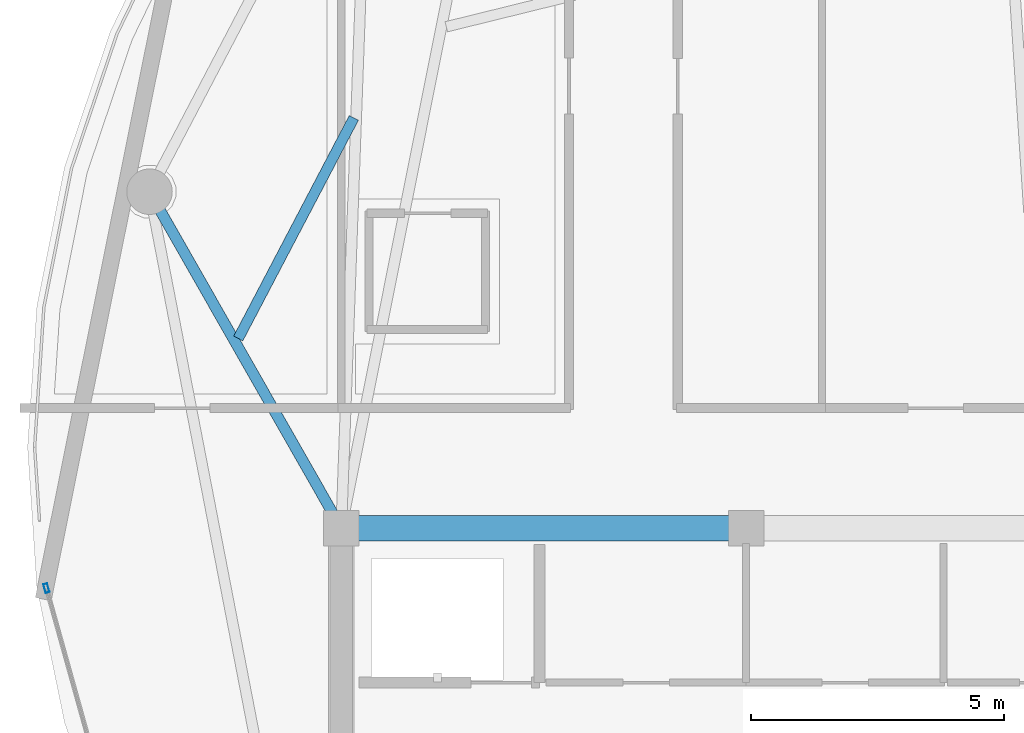
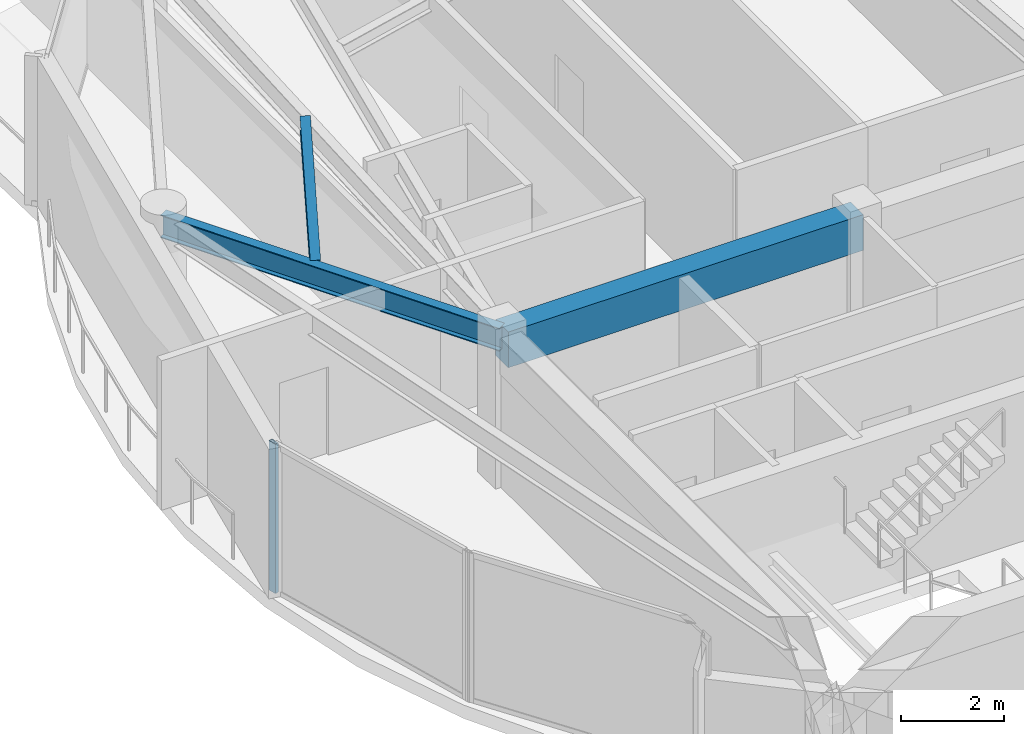
# One storey, part 9 of 29: 3 beams, 1 member, 1 element without a shape of its own.
"""IFC4 building model written with IfcOpenShell, lengths in metres."""

from ifc_helpers import new_model, si_unit, direction, frame, origin, origin_2d, place, context, subcontext, project, spatial, rectangle, hollow_rectangle, i_section, extrude, material, layer, layer_set, material_profile, profile_set, type_object, element, aggregate, save


model = new_model("IFC4")

# Units and contexts
model_context = context("Model", 3, precision=1e-05, world=origin(), true_north=direction((0.0, 1.0)))
body_context = subcontext(model_context, "Body", "Model", "MODEL_VIEW")
ifc_project = project(units=[si_unit("LENGTHUNIT", "METRE"), si_unit("AREAUNIT", "SQUARE_METRE"), si_unit("VOLUMEUNIT", "CUBIC_METRE"), si_unit("PLANEANGLEUNIT", "RADIAN"), si_unit("MASSUNIT", "GRAM", prefix="KILO")], contexts=[model_context])

# Site, building, storey
site_placement = place(None, origin())
site = spatial("IfcSite", under=ifc_project, at=site_placement, CompositionType="ELEMENT")
building_placement = place(site_placement, origin())
building = spatial("IfcBuilding", under=site, at=building_placement, Name="Kazevale Care Tower and Concert Hall", CompositionType="ELEMENT")
storey_placement = place(building_placement, frame((0.0, 0.0, 281.39990234375)))
storey = spatial("IfcBuildingStorey", under=building, at=storey_placement, Name="L74", CompositionType="ELEMENT", Elevation=281.39990234375)

# Curtain wall, member
ifc_material_1 = material(Name="Aluminium 6063-T6 and Low-E Glass", Category="aluminium")
ifc_layer = layer(ifc_material_1, 0.179931640625)
ifc_layer_set = layer_set([ifc_layer], Name="Aluminium 6063-T6 and Low-E Glass")
curtain_wall_type = type_object("IfcCurtainWallType", Name="Waist & Upper Residential Curtain Wall CW-4", PredefinedType="NOTDEFINED", material=ifc_layer_set)
curtain_wall_placement = place(storey_placement, origin())
curtain_wall = element("IfcCurtainWall", 1, at=curtain_wall_placement, inside=storey, type_object=curtain_wall_type, Name="cw:L74:f12", PredefinedType="NOTDEFINED")
ifc_material_2 = material(Name="Aluminium 6063-T6", Category="aluminium")
ifc_material_profile_1 = material_profile(ifc_material_2, hollow_rectangle(XDim=0.080078125, YDim=0.179931640625, WallThickness=0.0048828125, at=origin_2d()), Name="ALU80x180x5")
ifc_profile_set_1 = profile_set([ifc_material_profile_1], Name="Aluminium 6063-T6")
member_type = type_object("IfcMemberType", Name="CW-4 Mullion ALU80x180x5", PredefinedType="MULLION", material=ifc_profile_set_1)
member_placement = place(storey_placement, frame((16.1728515625, 35.215576171875, 0.0), z_axis=(0.0, 0.0, 1.0), x_axis=(-0.963194056491, -0.268807011704, 0.0)))
member = element("IfcMember", 2, at=member_placement, type_object=member_type, Name="CW-4 mullion 2", PredefinedType="MULLION", context=body_context, shape_type="SweptSolid", body=[
    extrude(hollow_rectangle(XDim=0.080078125, YDim=0.179931640625, WallThickness=0.0048828125, at=origin_2d()), origin(), (0.0, 0.0, 1.0), 3.56005859375),
])
aggregate(curtain_wall, [member])

# Beams
ifc_material_3 = material(Name="Concrete C60", Category="concrete")
ifc_material_profile_2 = material_profile(ifc_material_3, rectangle(XDim=0.5, YDim=0.85009765625, at=origin_2d()), Name="RC-B500x850")
ifc_profile_set_2 = profile_set([ifc_material_profile_2], Name="Concrete C60")
beam_type_1 = type_object("IfcBeamType", Name="Core Coupling Beam RC500x850", PredefinedType="LINTEL", material=ifc_profile_set_2)
beam_1_placement = place(storey_placement, frame((30.0, 36.39990234375, 3.135009765625), z_axis=(-1.0, 0.0, 0.0), x_axis=(0.0, -1.0, 0.0)))
element("IfcBeam", 3, at=beam_1_placement, inside=storey, type_object=beam_type_1, Name="beam:L74:coretie:7", PredefinedType="LINTEL", context=body_context, shape_type="SweptSolid", body=[
    extrude(rectangle(XDim=0.5, YDim=0.85009765625, at=origin_2d()), origin(), (0.0, 0.0, 1.0), 8.0),
])
ifc_material_4 = material(Name="Steel ASTM A572 Gr 50", Category="steel")
ifc_material_profile_3 = material_profile(ifc_material_4, i_section(OverallWidth=0.2119140625, OverallDepth=0.5439453125, WebThickness=0.01318359375, FlangeThickness=0.021240234375, at=origin_2d()), Name="W530x123")
ifc_profile_set_3 = profile_set([ifc_material_profile_3], Name="Steel ASTM A572 Gr 50")
beam_type_2 = type_object("IfcBeamType", Name="Radial Floor Girder W530x123", PredefinedType="BEAM", material=ifc_profile_set_3)
beam_2_placement = place(storey_placement, frame((22.0, 36.39990234375, 3.2880859375), z_axis=(-0.495149357892, 0.868807869082, 0.0), x_axis=(-0.868807869082, -0.495149357892, 0.0)))
element("IfcBeam", 4, at=beam_2_placement, inside=storey, type_object=beam_type_2, Name="beam:L74:rad:09", PredefinedType="BEAM", context=body_context, shape_type="SweptSolid", body=[
    extrude(i_section(OverallWidth=0.2119140625, OverallDepth=0.5439453125, WebThickness=0.01318359375, FlangeThickness=0.021240234375, at=origin_2d()), origin(), (0.0, 0.0, 1.0), 7.654296875),
])
ifc_material_profile_4 = material_profile(ifc_material_4, i_section(OverallWidth=0.205078125, OverallDepth=0.35400390625, WebThickness=0.009521484375, FlangeThickness=0.016845703125, at=origin_2d()), Name="W360x79")
ifc_profile_set_4 = profile_set([ifc_material_profile_4], Name="Steel ASTM A572 Gr 50")
beam_type_3 = type_object("IfcBeamType", Name="Secondary Floor Joist W360x79", PredefinedType="JOIST", material=ifc_profile_set_4)
beam_3_placement = place(storey_placement, frame((22.248046875, 44.508056640625, 3.383056640625), z_axis=(-0.46418126854, -0.885740227119, 0.0), x_axis=(0.885740227119, -0.46418126854, 0.0)))
element("IfcBeam", 5, at=beam_3_placement, inside=storey, type_object=beam_type_3, Name="beam:L74:joist:08", PredefinedType="JOIST", context=body_context, shape_type="SweptSolid", body=[
    extrude(i_section(OverallWidth=0.205078125, OverallDepth=0.35400390625, WebThickness=0.009521484375, FlangeThickness=0.016845703125, at=origin_2d()), origin(), (0.0, 0.0, 1.0), 4.92041015625),
])

save(model, "model.ifc")
